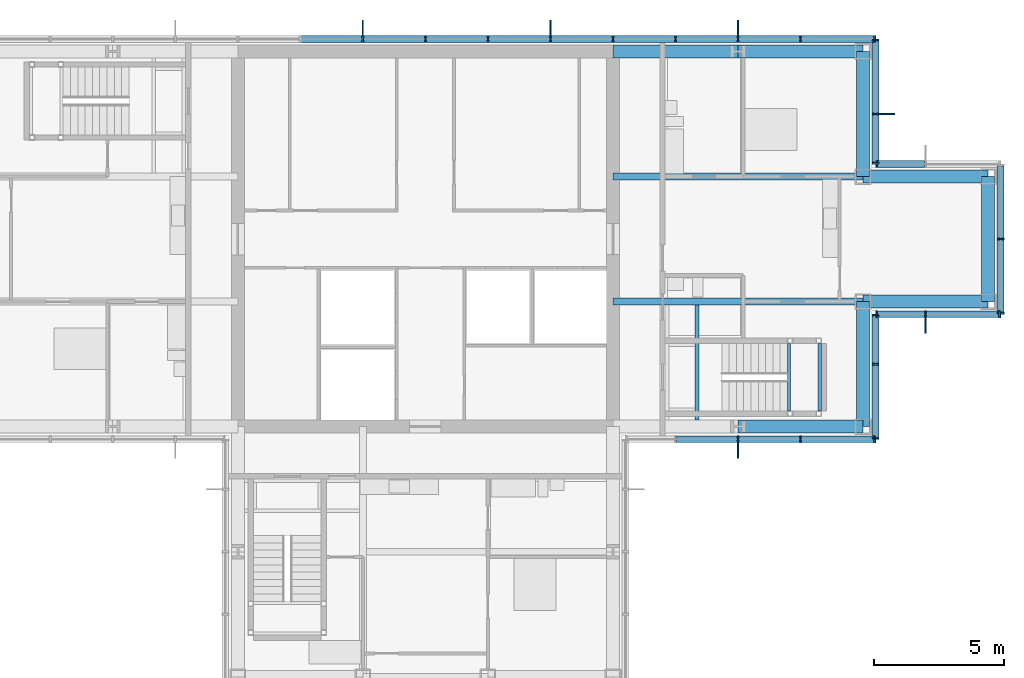
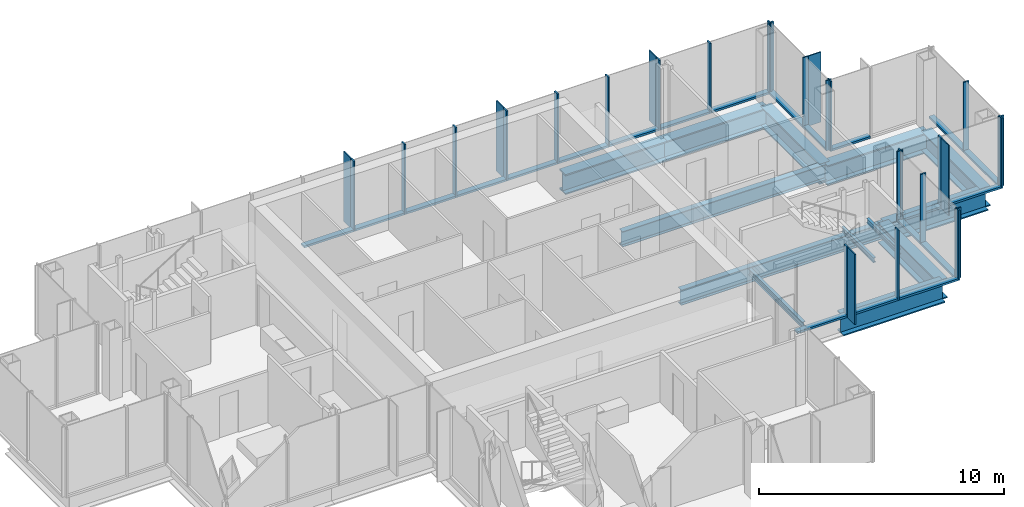
# One storey, part 7 of 15: 51 members, 13 beams, 7 elements without a shape of their own.
"""IFC4 building model written with IfcOpenShell, lengths in metres."""

from ifc_helpers import new_model, si_unit, direction, frame, origin, origin_2d, place, context, subcontext, project, spatial, rectangle, i_section, extrude, material, material_profile, profile_set, type_object, element, aggregate, save


model = new_model("IFC4")

# Units and contexts
model_context = context("Model", 3, precision=1e-05, world=origin(), true_north=direction((0.0, 1.0)))
body_context = subcontext(model_context, "Body", "Model", "MODEL_VIEW")
ifc_project = project(units=[si_unit("LENGTHUNIT", "METRE"), si_unit("AREAUNIT", "SQUARE_METRE"), si_unit("VOLUMEUNIT", "CUBIC_METRE"), si_unit("PLANEANGLEUNIT", "RADIAN"), si_unit("MASSUNIT", "GRAM", prefix="KILO")], contexts=[model_context])

# Site, building, storey
site_placement = place(None, origin())
site = spatial("IfcSite", under=ifc_project, at=site_placement, CompositionType="ELEMENT")
building_placement = place(site_placement, origin())
building = spatial("IfcBuilding", under=site, at=building_placement, Name="Kvirike Care Tower", CompositionType="ELEMENT")
storey_placement = place(building_placement, frame((0.0, 0.0, 201.5)))
storey = spatial("IfcBuildingStorey", under=building, at=storey_placement, Name="L55", CompositionType="ELEMENT", Elevation=201.5)

# Curtain wall, member
ifc_material_1 = material(Name="Anodised aluminium stick system", Category="aluminium")
curtain_wall_type = type_object("IfcCurtainWallType", Name="CW-D STICK CURTAIN WALL", PredefinedType="NOTDEFINED", material=ifc_material_1)
curtain_wall_1_placement = place(storey_placement, origin())
curtain_wall_1 = element("IfcCurtainWall", 1, at=curtain_wall_1_placement, inside=storey, type_object=curtain_wall_type, Name="Curtain wall L55 face 1", PredefinedType="NOTDEFINED")
ifc_material_2 = material(Name="Bronze anodised aluminium fin", Category="aluminium")
ifc_material_profile_1 = material_profile(ifc_material_2, rectangle(XDim=0.050048828125, YDim=0.60009765625, at=origin_2d()), Name="BRONZE FIN 600")
ifc_profile_set_1 = profile_set([ifc_material_profile_1], Name="Bronze anodised aluminium fin")
member_type_1 = type_object("IfcMemberType", Name="BRONZE FIN 600", PredefinedType="USERDEFINED", material=ifc_profile_set_1)
member_1_placement = place(storey_placement, frame((33.60009765625, 27.889892578125, 0.0), z_axis=(0.0, 0.0, 1.0), x_axis=(1.0, 0.0, 0.0)))
member_1 = element("IfcMember", 2, at=member_1_placement, type_object=member_type_1, Name="Bronze fin L55 face 1.3", ObjectType="FIN", PredefinedType="USERDEFINED", context=body_context, shape_type="SweptSolid", body=[
    extrude(rectangle(XDim=0.050048828125, YDim=0.60009765625, at=origin_2d()), origin(), (0.0, 0.0, 1.0), 3.5),
])

curtain_wall_2_placement = place(storey_placement, origin())
curtain_wall_2 = element("IfcCurtainWall", 3, at=curtain_wall_2_placement, inside=storey, type_object=curtain_wall_type, Name="Curtain wall L55 face 3", PredefinedType="NOTDEFINED")
member_2_placement = place(storey_placement, frame((40.800048828125, 32.68994140625, 0.0), z_axis=(0.0, 0.0, 1.0), x_axis=(1.0, 0.0, 0.0)))
member_2 = element("IfcMember", 4, at=member_2_placement, type_object=member_type_1, Name="Bronze fin L55 face 3.2", ObjectType="FIN", PredefinedType="USERDEFINED", context=body_context, shape_type="SweptSolid", body=[
    extrude(rectangle(XDim=0.050048828125, YDim=0.60009765625, at=origin_2d()), origin(), (0.0, 0.0, 1.0), 3.5),
])

curtain_wall_3_placement = place(storey_placement, origin())
curtain_wall_3 = element("IfcCurtainWall", 5, at=curtain_wall_3_placement, inside=storey, type_object=curtain_wall_type, Name="Curtain wall L55 face 6", PredefinedType="NOTDEFINED")
member_3_placement = place(storey_placement, frame((39.31005859375, 40.800048828125, 0.0), z_axis=(0.0, 0.0, 1.0), x_axis=(0.0, 1.0, 0.0)))
member_3 = element("IfcMember", 6, at=member_3_placement, type_object=member_type_1, Name="Bronze fin L55 face 6.2", ObjectType="FIN", PredefinedType="USERDEFINED", context=body_context, shape_type="SweptSolid", body=[
    extrude(rectangle(XDim=0.050048828125, YDim=0.60009765625, at=origin_2d()), origin(), (0.0, 0.0, 1.0), 3.5),
])

# Curtain wall, members
curtain_wall_4_placement = place(storey_placement, origin())
curtain_wall_4 = element("IfcCurtainWall", 7, at=curtain_wall_4_placement, inside=storey, type_object=curtain_wall_type, Name="Curtain wall L55 face 7", PredefinedType="NOTDEFINED")
member_4_placement = place(storey_placement, frame((33.60009765625, 44.110107421875, 0.0), z_axis=(0.0, 0.0, 1.0), x_axis=(-1.0, 0.0, 0.0)))
member_4 = element("IfcMember", 8, at=member_4_placement, type_object=member_type_1, Name="Bronze fin L55 face 7.3", ObjectType="FIN", PredefinedType="USERDEFINED", context=body_context, shape_type="SweptSolid", body=[
    extrude(rectangle(XDim=0.050048828125, YDim=0.60009765625, at=origin_2d()), origin(), (0.0, 0.0, 1.0), 3.5),
])
member_5_placement = place(storey_placement, frame((26.39990234375, 44.110107421875, 0.0), z_axis=(0.0, 0.0, 1.0), x_axis=(-1.0, 0.0, 0.0)))
member_5 = element("IfcMember", 9, at=member_5_placement, type_object=member_type_1, Name="Bronze fin L55 face 7.6", ObjectType="FIN", PredefinedType="USERDEFINED", context=body_context, shape_type="SweptSolid", body=[
    extrude(rectangle(XDim=0.050048828125, YDim=0.60009765625, at=origin_2d()), origin(), (0.0, 0.0, 1.0), 3.5),
])
member_6_placement = place(storey_placement, frame((19.199951171875, 44.110107421875, 0.0), z_axis=(0.0, 0.0, 1.0), x_axis=(-1.0, 0.0, 0.0)))
member_6 = element("IfcMember", 10, at=member_6_placement, type_object=member_type_1, Name="Bronze fin L55 face 7.9", ObjectType="FIN", PredefinedType="USERDEFINED", context=body_context, shape_type="SweptSolid", body=[
    extrude(rectangle(XDim=0.050048828125, YDim=0.60009765625, at=origin_2d()), origin(), (0.0, 0.0, 1.0), 3.5),
])

# Member
ifc_material_3 = material(Name="Bronze anodised aluminium mullion", Category="aluminium")
ifc_material_profile_2 = material_profile(ifc_material_3, rectangle(XDim=0.06494140625, YDim=0.260009765625, at=origin_2d()), Name="CW-D MULLION 65x260")
ifc_profile_set_2 = profile_set([ifc_material_profile_2], Name="Bronze anodised aluminium mullion")
member_type_2 = type_object("IfcMemberType", Name="CW-D MULLION 65x260", PredefinedType="MULLION", material=ifc_profile_set_2)
member_7_placement = place(storey_placement, frame((33.60009765625, 28.320068359375, 0.0), z_axis=(0.0, 0.0, 1.0), x_axis=(1.0, 0.0, 0.0)))
member_7 = element("IfcMember", 11, at=member_7_placement, type_object=member_type_2, Name="CW-D mullion L55 face 1.3", PredefinedType="MULLION", context=body_context, shape_type="SweptSolid", body=[
    extrude(rectangle(XDim=0.06494140625, YDim=0.260009765625, at=origin_2d()), origin(), (0.0, 0.0, 1.0), 3.5),
])

member_8_placement = place(storey_placement, frame((36.0, 28.320068359375, 0.0), z_axis=(0.0, 0.0, 1.0), x_axis=(1.0, 0.0, 0.0)))
member_8 = element("IfcMember", 12, at=member_8_placement, type_object=member_type_2, Name="CW-D mullion L55 face 1.4", PredefinedType="MULLION", context=body_context, shape_type="SweptSolid", body=[
    extrude(rectangle(XDim=0.06494140625, YDim=0.260009765625, at=origin_2d()), origin(), (0.0, 0.0, 1.0), 3.5),
])

member_9_placement = place(storey_placement, frame((38.847412109375, 28.320068359375, 0.0), z_axis=(0.0, 0.0, 1.0), x_axis=(1.0, 0.0, 0.0)))
member_9 = element("IfcMember", 13, at=member_9_placement, type_object=member_type_2, Name="CW-D mullion L55 face 1.5", PredefinedType="MULLION", context=body_context, shape_type="SweptSolid", body=[
    extrude(rectangle(XDim=0.06494140625, YDim=0.260009765625, at=origin_2d()), origin(), (0.0, 0.0, 1.0), 3.5),
])

# Curtain wall, members
curtain_wall_5_placement = place(storey_placement, origin())
curtain_wall_5 = element("IfcCurtainWall", 14, at=curtain_wall_5_placement, inside=storey, type_object=curtain_wall_type, Name="Curtain wall L55 face 2", PredefinedType="NOTDEFINED")
member_10_placement = place(storey_placement, frame((38.8798828125, 28.3525390625, 0.0), z_axis=(0.0, 0.0, 1.0), x_axis=(0.0, 1.0, 0.0)))
member_10 = element("IfcMember", 15, at=member_10_placement, type_object=member_type_2, Name="CW-D mullion L55 face 2.1", PredefinedType="MULLION", context=body_context, shape_type="SweptSolid", body=[
    extrude(rectangle(XDim=0.06494140625, YDim=0.260009765625, at=origin_2d()), origin(), (0.0, 0.0, 1.0), 3.5),
])
member_11_placement = place(storey_placement, frame((38.8798828125, 31.199951171875, 0.0), z_axis=(0.0, 0.0, 1.0), x_axis=(0.0, 1.0, 0.0)))
member_11 = element("IfcMember", 16, at=member_11_placement, type_object=member_type_2, Name="CW-D mullion L55 face 2.2", PredefinedType="MULLION", context=body_context, shape_type="SweptSolid", body=[
    extrude(rectangle(XDim=0.06494140625, YDim=0.260009765625, at=origin_2d()), origin(), (0.0, 0.0, 1.0), 3.5),
])
member_12_placement = place(storey_placement, frame((38.8798828125, 33.08740234375, 0.0), z_axis=(0.0, 0.0, 1.0), x_axis=(0.0, 1.0, 0.0)))
member_12 = element("IfcMember", 17, at=member_12_placement, type_object=member_type_2, Name="CW-D mullion L55 face 2.3", PredefinedType="MULLION", context=body_context, shape_type="SweptSolid", body=[
    extrude(rectangle(XDim=0.06494140625, YDim=0.260009765625, at=origin_2d()), origin(), (0.0, 0.0, 1.0), 3.5),
])

# Member
member_13_placement = place(storey_placement, frame((38.91259765625, 33.1201171875, 0.0), z_axis=(0.0, 0.0, 1.0), x_axis=(1.0, 0.0, 0.0)))
member_13 = element("IfcMember", 18, at=member_13_placement, type_object=member_type_2, Name="CW-D mullion L55 face 3.1", PredefinedType="MULLION", context=body_context, shape_type="SweptSolid", body=[
    extrude(rectangle(XDim=0.06494140625, YDim=0.260009765625, at=origin_2d()), origin(), (0.0, 0.0, 1.0), 3.5),
])

member_14_placement = place(storey_placement, frame((40.800048828125, 33.1201171875, 0.0), z_axis=(0.0, 0.0, 1.0), x_axis=(1.0, 0.0, 0.0)))
member_14 = element("IfcMember", 19, at=member_14_placement, type_object=member_type_2, Name="CW-D mullion L55 face 3.2", PredefinedType="MULLION", context=body_context, shape_type="SweptSolid", body=[
    extrude(rectangle(XDim=0.06494140625, YDim=0.260009765625, at=origin_2d()), origin(), (0.0, 0.0, 1.0), 3.5),
])

member_15_placement = place(storey_placement, frame((43.6474609375, 33.1201171875, 0.0), z_axis=(0.0, 0.0, 1.0), x_axis=(1.0, 0.0, 0.0)))
member_15 = element("IfcMember", 20, at=member_15_placement, type_object=member_type_2, Name="CW-D mullion L55 face 3.3", PredefinedType="MULLION", context=body_context, shape_type="SweptSolid", body=[
    extrude(rectangle(XDim=0.06494140625, YDim=0.260009765625, at=origin_2d()), origin(), (0.0, 0.0, 1.0), 3.5),
])

# Curtain wall, members
curtain_wall_6_placement = place(storey_placement, origin())
curtain_wall_6 = element("IfcCurtainWall", 21, at=curtain_wall_6_placement, inside=storey, type_object=curtain_wall_type, Name="Curtain wall L55 face 4", PredefinedType="NOTDEFINED")
member_16_placement = place(storey_placement, frame((43.679931640625, 33.152587890625, 0.0), z_axis=(0.0, 0.0, 1.0), x_axis=(0.0, 1.0, 0.0)))
member_16 = element("IfcMember", 22, at=member_16_placement, type_object=member_type_2, Name="CW-D mullion L55 face 4.1", PredefinedType="MULLION", context=body_context, shape_type="SweptSolid", body=[
    extrude(rectangle(XDim=0.06494140625, YDim=0.260009765625, at=origin_2d()), origin(), (0.0, 0.0, 1.0), 3.5),
])
member_17_placement = place(storey_placement, frame((43.679931640625, 36.0, 0.0), z_axis=(0.0, 0.0, 1.0), x_axis=(0.0, 1.0, 0.0)))
member_17 = element("IfcMember", 23, at=member_17_placement, type_object=member_type_2, Name="CW-D mullion L55 face 4.2", PredefinedType="MULLION", context=body_context, shape_type="SweptSolid", body=[
    extrude(rectangle(XDim=0.06494140625, YDim=0.260009765625, at=origin_2d()), origin(), (0.0, 0.0, 1.0), 3.5),
])

# Curtain wall, member
curtain_wall_7_placement = place(storey_placement, origin())
curtain_wall_7 = element("IfcCurtainWall", 24, at=curtain_wall_7_placement, inside=storey, type_object=curtain_wall_type, Name="Curtain wall L55 face 5", PredefinedType="NOTDEFINED")
member_18_placement = place(storey_placement, frame((38.91259765625, 38.8798828125, 0.0), z_axis=(0.0, 0.0, 1.0), x_axis=(-1.0, 0.0, 0.0)))
member_18 = element("IfcMember", 25, at=member_18_placement, type_object=member_type_2, Name="CW-D mullion L55 face 5.3", PredefinedType="MULLION", context=body_context, shape_type="SweptSolid", body=[
    extrude(rectangle(XDim=0.06494140625, YDim=0.260009765625, at=origin_2d()), origin(), (0.0, 0.0, 1.0), 3.5),
])

# Member
member_19_placement = place(storey_placement, frame((38.8798828125, 38.91259765625, 0.0), z_axis=(0.0, 0.0, 1.0), x_axis=(0.0, 1.0, 0.0)))
member_19 = element("IfcMember", 26, at=member_19_placement, type_object=member_type_2, Name="CW-D mullion L55 face 6.1", PredefinedType="MULLION", context=body_context, shape_type="SweptSolid", body=[
    extrude(rectangle(XDim=0.06494140625, YDim=0.260009765625, at=origin_2d()), origin(), (0.0, 0.0, 1.0), 3.5),
])

member_20_placement = place(storey_placement, frame((38.8798828125, 40.800048828125, 0.0), z_axis=(0.0, 0.0, 1.0), x_axis=(0.0, 1.0, 0.0)))
member_20 = element("IfcMember", 27, at=member_20_placement, type_object=member_type_2, Name="CW-D mullion L55 face 6.2", PredefinedType="MULLION", context=body_context, shape_type="SweptSolid", body=[
    extrude(rectangle(XDim=0.06494140625, YDim=0.260009765625, at=origin_2d()), origin(), (0.0, 0.0, 1.0), 3.5),
])

member_21_placement = place(storey_placement, frame((38.8798828125, 43.6474609375, 0.0), z_axis=(0.0, 0.0, 1.0), x_axis=(0.0, 1.0, 0.0)))
member_21 = element("IfcMember", 28, at=member_21_placement, type_object=member_type_2, Name="CW-D mullion L55 face 6.3", PredefinedType="MULLION", context=body_context, shape_type="SweptSolid", body=[
    extrude(rectangle(XDim=0.06494140625, YDim=0.260009765625, at=origin_2d()), origin(), (0.0, 0.0, 1.0), 3.5),
])

member_22_placement = place(storey_placement, frame((38.847412109375, 43.679931640625, 0.0), z_axis=(0.0, 0.0, 1.0), x_axis=(-1.0, 0.0, 0.0)))
member_22 = element("IfcMember", 29, at=member_22_placement, type_object=member_type_2, Name="CW-D mullion L55 face 7.1", PredefinedType="MULLION", context=body_context, shape_type="SweptSolid", body=[
    extrude(rectangle(XDim=0.06494140625, YDim=0.260009765625, at=origin_2d()), origin(), (0.0, 0.0, 1.0), 3.5),
])

member_23_placement = place(storey_placement, frame((36.0, 43.679931640625, 0.0), z_axis=(0.0, 0.0, 1.0), x_axis=(-1.0, 0.0, 0.0)))
member_23 = element("IfcMember", 30, at=member_23_placement, type_object=member_type_2, Name="CW-D mullion L55 face 7.2", PredefinedType="MULLION", context=body_context, shape_type="SweptSolid", body=[
    extrude(rectangle(XDim=0.06494140625, YDim=0.260009765625, at=origin_2d()), origin(), (0.0, 0.0, 1.0), 3.5),
])

member_24_placement = place(storey_placement, frame((33.60009765625, 43.679931640625, 0.0), z_axis=(0.0, 0.0, 1.0), x_axis=(-1.0, 0.0, 0.0)))
member_24 = element("IfcMember", 31, at=member_24_placement, type_object=member_type_2, Name="CW-D mullion L55 face 7.3", PredefinedType="MULLION", context=body_context, shape_type="SweptSolid", body=[
    extrude(rectangle(XDim=0.06494140625, YDim=0.260009765625, at=origin_2d()), origin(), (0.0, 0.0, 1.0), 3.5),
])

member_25_placement = place(storey_placement, frame((31.199951171875, 43.679931640625, 0.0), z_axis=(0.0, 0.0, 1.0), x_axis=(-1.0, 0.0, 0.0)))
member_25 = element("IfcMember", 32, at=member_25_placement, type_object=member_type_2, Name="CW-D mullion L55 face 7.4", PredefinedType="MULLION", context=body_context, shape_type="SweptSolid", body=[
    extrude(rectangle(XDim=0.06494140625, YDim=0.260009765625, at=origin_2d()), origin(), (0.0, 0.0, 1.0), 3.5),
])

member_26_placement = place(storey_placement, frame((28.800048828125, 43.679931640625, 0.0), z_axis=(0.0, 0.0, 1.0), x_axis=(-1.0, 0.0, 0.0)))
member_26 = element("IfcMember", 33, at=member_26_placement, type_object=member_type_2, Name="CW-D mullion L55 face 7.5", PredefinedType="MULLION", context=body_context, shape_type="SweptSolid", body=[
    extrude(rectangle(XDim=0.06494140625, YDim=0.260009765625, at=origin_2d()), origin(), (0.0, 0.0, 1.0), 3.5),
])

member_27_placement = place(storey_placement, frame((26.39990234375, 43.679931640625, 0.0), z_axis=(0.0, 0.0, 1.0), x_axis=(-1.0, 0.0, 0.0)))
member_27 = element("IfcMember", 34, at=member_27_placement, type_object=member_type_2, Name="CW-D mullion L55 face 7.6", PredefinedType="MULLION", context=body_context, shape_type="SweptSolid", body=[
    extrude(rectangle(XDim=0.06494140625, YDim=0.260009765625, at=origin_2d()), origin(), (0.0, 0.0, 1.0), 3.5),
])

member_28_placement = place(storey_placement, frame((24.0, 43.679931640625, 0.0), z_axis=(0.0, 0.0, 1.0), x_axis=(-1.0, 0.0, 0.0)))
member_28 = element("IfcMember", 35, at=member_28_placement, type_object=member_type_2, Name="CW-D mullion L55 face 7.7", PredefinedType="MULLION", context=body_context, shape_type="SweptSolid", body=[
    extrude(rectangle(XDim=0.06494140625, YDim=0.260009765625, at=origin_2d()), origin(), (0.0, 0.0, 1.0), 3.5),
])

member_29_placement = place(storey_placement, frame((21.60009765625, 43.679931640625, 0.0), z_axis=(0.0, 0.0, 1.0), x_axis=(-1.0, 0.0, 0.0)))
member_29 = element("IfcMember", 36, at=member_29_placement, type_object=member_type_2, Name="CW-D mullion L55 face 7.8", PredefinedType="MULLION", context=body_context, shape_type="SweptSolid", body=[
    extrude(rectangle(XDim=0.06494140625, YDim=0.260009765625, at=origin_2d()), origin(), (0.0, 0.0, 1.0), 3.5),
])

member_30_placement = place(storey_placement, frame((19.199951171875, 43.679931640625, 0.0), z_axis=(0.0, 0.0, 1.0), x_axis=(-1.0, 0.0, 0.0)))
member_30 = element("IfcMember", 37, at=member_30_placement, type_object=member_type_2, Name="CW-D mullion L55 face 7.9", PredefinedType="MULLION", context=body_context, shape_type="SweptSolid", body=[
    extrude(rectangle(XDim=0.06494140625, YDim=0.260009765625, at=origin_2d()), origin(), (0.0, 0.0, 1.0), 3.5),
])

ifc_material_4 = material(Name="Bronze anodised aluminium transom", Category="aluminium")
ifc_material_profile_3 = material_profile(ifc_material_4, rectangle(XDim=0.260009765625, YDim=0.10009765625, at=origin_2d()), Name="CW-D TRANSOM 260x100")
ifc_profile_set_3 = profile_set([ifc_material_profile_3], Name="Bronze anodised aluminium transom")
member_type_3 = type_object("IfcMemberType", Name="CW-D TRANSOM 260x100", PredefinedType="USERDEFINED", material=ifc_profile_set_3)
member_31_placement = place(storey_placement, frame((31.232421875, 28.320068359375, 0.050048828125), z_axis=(1.0, 0.0, 0.0), x_axis=(0.0, 1.0, 0.0)))
member_31 = element("IfcMember", 38, at=member_31_placement, type_object=member_type_3, Name="CW-D sill transom L55 face 1.2", ObjectType="TRANSOM", PredefinedType="USERDEFINED", context=body_context, shape_type="SweptSolid", body=[
    extrude(rectangle(XDim=0.260009765625, YDim=0.10009765625, at=origin_2d()), origin(), (0.0, 0.0, 1.0), 2.3349609375),
])

member_32_placement = place(storey_placement, frame((33.632568359375, 28.320068359375, 0.050048828125), z_axis=(1.0, 0.0, 0.0), x_axis=(0.0, 1.0, 0.0)))
member_32 = element("IfcMember", 39, at=member_32_placement, type_object=member_type_3, Name="CW-D sill transom L55 face 1.3", ObjectType="TRANSOM", PredefinedType="USERDEFINED", context=body_context, shape_type="SweptSolid", body=[
    extrude(rectangle(XDim=0.260009765625, YDim=0.10009765625, at=origin_2d()), origin(), (0.0, 0.0, 1.0), 2.3349609375),
])

member_33_placement = place(storey_placement, frame((36.032470703125, 28.320068359375, 0.050048828125), z_axis=(1.0, 0.0, 0.0), x_axis=(0.0, 1.0, 0.0)))
member_33 = element("IfcMember", 40, at=member_33_placement, type_object=member_type_3, Name="CW-D sill transom L55 face 1.4", ObjectType="TRANSOM", PredefinedType="USERDEFINED", context=body_context, shape_type="SweptSolid", body=[
    extrude(rectangle(XDim=0.260009765625, YDim=0.10009765625, at=origin_2d()), origin(), (0.0, 0.0, 1.0), 2.782470703125),
])

aggregate(curtain_wall_1, [member_7, member_1, member_8, member_9, member_31, member_32, member_33])

member_34_placement = place(storey_placement, frame((38.8798828125, 28.385009765625, 0.050048828125), z_axis=(0.0, 1.0, 0.0), x_axis=(-1.0, 0.0, 0.0)))
member_34 = element("IfcMember", 41, at=member_34_placement, type_object=member_type_3, Name="CW-D sill transom L55 face 2.1", ObjectType="TRANSOM", PredefinedType="USERDEFINED", context=body_context, shape_type="SweptSolid", body=[
    extrude(rectangle(XDim=0.260009765625, YDim=0.10009765625, at=origin_2d()), origin(), (0.0, 0.0, 1.0), 2.782470703125),
])

member_35_placement = place(storey_placement, frame((38.8798828125, 31.232421875, 0.050048828125), z_axis=(0.0, 1.0, 0.0), x_axis=(-1.0, 0.0, 0.0)))
member_35 = element("IfcMember", 42, at=member_35_placement, type_object=member_type_3, Name="CW-D sill transom L55 face 2.2", ObjectType="TRANSOM", PredefinedType="USERDEFINED", context=body_context, shape_type="SweptSolid", body=[
    extrude(rectangle(XDim=0.260009765625, YDim=0.10009765625, at=origin_2d()), origin(), (0.0, 0.0, 1.0), 1.822509765625),
])

aggregate(curtain_wall_5, [member_10, member_11, member_12, member_34, member_35])

member_36_placement = place(storey_placement, frame((38.945068359375, 33.1201171875, 0.050048828125), z_axis=(1.0, 0.0, 0.0), x_axis=(0.0, 1.0, 0.0)))
member_36 = element("IfcMember", 43, at=member_36_placement, type_object=member_type_3, Name="CW-D sill transom L55 face 3.1", ObjectType="TRANSOM", PredefinedType="USERDEFINED", context=body_context, shape_type="SweptSolid", body=[
    extrude(rectangle(XDim=0.260009765625, YDim=0.10009765625, at=origin_2d()), origin(), (0.0, 0.0, 1.0), 1.822509765625),
])

member_37_placement = place(storey_placement, frame((40.83251953125, 33.1201171875, 0.050048828125), z_axis=(1.0, 0.0, 0.0), x_axis=(0.0, 1.0, 0.0)))
member_37 = element("IfcMember", 44, at=member_37_placement, type_object=member_type_3, Name="CW-D sill transom L55 face 3.2", ObjectType="TRANSOM", PredefinedType="USERDEFINED", context=body_context, shape_type="SweptSolid", body=[
    extrude(rectangle(XDim=0.260009765625, YDim=0.10009765625, at=origin_2d()), origin(), (0.0, 0.0, 1.0), 2.782470703125),
])

aggregate(curtain_wall_2, [member_13, member_14, member_2, member_15, member_36, member_37])

member_38_placement = place(storey_placement, frame((43.679931640625, 33.18505859375, 0.050048828125), z_axis=(0.0, 1.0, 0.0), x_axis=(-1.0, 0.0, 0.0)))
member_38 = element("IfcMember", 45, at=member_38_placement, type_object=member_type_3, Name="CW-D sill transom L55 face 4.1", ObjectType="TRANSOM", PredefinedType="USERDEFINED", context=body_context, shape_type="SweptSolid", body=[
    extrude(rectangle(XDim=0.260009765625, YDim=0.10009765625, at=origin_2d()), origin(), (0.0, 0.0, 1.0), 2.782470703125),
])

member_39_placement = place(storey_placement, frame((43.679931640625, 36.032470703125, 0.050048828125), z_axis=(0.0, 1.0, 0.0), x_axis=(-1.0, 0.0, 0.0)))
member_39 = element("IfcMember", 46, at=member_39_placement, type_object=member_type_3, Name="CW-D sill transom L55 face 4.2", ObjectType="TRANSOM", PredefinedType="USERDEFINED", context=body_context, shape_type="SweptSolid", body=[
    extrude(rectangle(XDim=0.260009765625, YDim=0.10009765625, at=origin_2d()), origin(), (0.0, 0.0, 1.0), 2.782470703125),
])

aggregate(curtain_wall_6, [member_16, member_17, member_38, member_39])

member_40_placement = place(storey_placement, frame((40.767578125, 38.8798828125, 0.050048828125), z_axis=(-1.0, 0.0, 0.0), x_axis=(0.0, -1.0, 0.0)))
member_40 = element("IfcMember", 47, at=member_40_placement, type_object=member_type_3, Name="CW-D sill transom L55 face 5.2", ObjectType="TRANSOM", PredefinedType="USERDEFINED", context=body_context, shape_type="SweptSolid", body=[
    extrude(rectangle(XDim=0.260009765625, YDim=0.10009765625, at=origin_2d()), origin(), (0.0, 0.0, 1.0), 1.822509765625),
])

aggregate(curtain_wall_7, [member_18, member_40])

member_41_placement = place(storey_placement, frame((38.8798828125, 38.945068359375, 0.050048828125), z_axis=(0.0, 1.0, 0.0), x_axis=(-1.0, 0.0, 0.0)))
member_41 = element("IfcMember", 48, at=member_41_placement, type_object=member_type_3, Name="CW-D sill transom L55 face 6.1", ObjectType="TRANSOM", PredefinedType="USERDEFINED", context=body_context, shape_type="SweptSolid", body=[
    extrude(rectangle(XDim=0.260009765625, YDim=0.10009765625, at=origin_2d()), origin(), (0.0, 0.0, 1.0), 1.822509765625),
])

member_42_placement = place(storey_placement, frame((38.8798828125, 40.83251953125, 0.050048828125), z_axis=(0.0, 1.0, 0.0), x_axis=(-1.0, 0.0, 0.0)))
member_42 = element("IfcMember", 49, at=member_42_placement, type_object=member_type_3, Name="CW-D sill transom L55 face 6.2", ObjectType="TRANSOM", PredefinedType="USERDEFINED", context=body_context, shape_type="SweptSolid", body=[
    extrude(rectangle(XDim=0.260009765625, YDim=0.10009765625, at=origin_2d()), origin(), (0.0, 0.0, 1.0), 2.782470703125),
])

aggregate(curtain_wall_3, [member_19, member_20, member_3, member_21, member_41, member_42])

member_43_placement = place(storey_placement, frame((38.81494140625, 43.679931640625, 0.050048828125), z_axis=(-1.0, 0.0, 0.0), x_axis=(0.0, -1.0, 0.0)))
member_43 = element("IfcMember", 50, at=member_43_placement, type_object=member_type_3, Name="CW-D sill transom L55 face 7.1", ObjectType="TRANSOM", PredefinedType="USERDEFINED", context=body_context, shape_type="SweptSolid", body=[
    extrude(rectangle(XDim=0.260009765625, YDim=0.10009765625, at=origin_2d()), origin(), (0.0, 0.0, 1.0), 2.782470703125),
])

member_44_placement = place(storey_placement, frame((35.967529296875, 43.679931640625, 0.050048828125), z_axis=(-1.0, 0.0, 0.0), x_axis=(0.0, -1.0, 0.0)))
member_44 = element("IfcMember", 51, at=member_44_placement, type_object=member_type_3, Name="CW-D sill transom L55 face 7.2", ObjectType="TRANSOM", PredefinedType="USERDEFINED", context=body_context, shape_type="SweptSolid", body=[
    extrude(rectangle(XDim=0.260009765625, YDim=0.10009765625, at=origin_2d()), origin(), (0.0, 0.0, 1.0), 2.3349609375),
])

member_45_placement = place(storey_placement, frame((33.5673828125, 43.679931640625, 0.050048828125), z_axis=(-1.0, 0.0, 0.0), x_axis=(0.0, -1.0, 0.0)))
member_45 = element("IfcMember", 52, at=member_45_placement, type_object=member_type_3, Name="CW-D sill transom L55 face 7.3", ObjectType="TRANSOM", PredefinedType="USERDEFINED", context=body_context, shape_type="SweptSolid", body=[
    extrude(rectangle(XDim=0.260009765625, YDim=0.10009765625, at=origin_2d()), origin(), (0.0, 0.0, 1.0), 2.3349609375),
])

member_46_placement = place(storey_placement, frame((31.16748046875, 43.679931640625, 0.050048828125), z_axis=(-1.0, 0.0, 0.0), x_axis=(0.0, -1.0, 0.0)))
member_46 = element("IfcMember", 53, at=member_46_placement, type_object=member_type_3, Name="CW-D sill transom L55 face 7.4", ObjectType="TRANSOM", PredefinedType="USERDEFINED", context=body_context, shape_type="SweptSolid", body=[
    extrude(rectangle(XDim=0.260009765625, YDim=0.10009765625, at=origin_2d()), origin(), (0.0, 0.0, 1.0), 2.3349609375),
])

member_47_placement = place(storey_placement, frame((28.767578125, 43.679931640625, 0.050048828125), z_axis=(-1.0, 0.0, 0.0), x_axis=(0.0, -1.0, 0.0)))
member_47 = element("IfcMember", 54, at=member_47_placement, type_object=member_type_3, Name="CW-D sill transom L55 face 7.5", ObjectType="TRANSOM", PredefinedType="USERDEFINED", context=body_context, shape_type="SweptSolid", body=[
    extrude(rectangle(XDim=0.260009765625, YDim=0.10009765625, at=origin_2d()), origin(), (0.0, 0.0, 1.0), 2.3349609375),
])

member_48_placement = place(storey_placement, frame((26.367431640625, 43.679931640625, 0.050048828125), z_axis=(-1.0, 0.0, 0.0), x_axis=(0.0, -1.0, 0.0)))
member_48 = element("IfcMember", 55, at=member_48_placement, type_object=member_type_3, Name="CW-D sill transom L55 face 7.6", ObjectType="TRANSOM", PredefinedType="USERDEFINED", context=body_context, shape_type="SweptSolid", body=[
    extrude(rectangle(XDim=0.260009765625, YDim=0.10009765625, at=origin_2d()), origin(), (0.0, 0.0, 1.0), 2.3349609375),
])

member_49_placement = place(storey_placement, frame((23.967529296875, 43.679931640625, 0.050048828125), z_axis=(-1.0, 0.0, 0.0), x_axis=(0.0, -1.0, 0.0)))
member_49 = element("IfcMember", 56, at=member_49_placement, type_object=member_type_3, Name="CW-D sill transom L55 face 7.7", ObjectType="TRANSOM", PredefinedType="USERDEFINED", context=body_context, shape_type="SweptSolid", body=[
    extrude(rectangle(XDim=0.260009765625, YDim=0.10009765625, at=origin_2d()), origin(), (0.0, 0.0, 1.0), 2.3349609375),
])

member_50_placement = place(storey_placement, frame((21.5673828125, 43.679931640625, 0.050048828125), z_axis=(-1.0, 0.0, 0.0), x_axis=(0.0, -1.0, 0.0)))
member_50 = element("IfcMember", 57, at=member_50_placement, type_object=member_type_3, Name="CW-D sill transom L55 face 7.8", ObjectType="TRANSOM", PredefinedType="USERDEFINED", context=body_context, shape_type="SweptSolid", body=[
    extrude(rectangle(XDim=0.260009765625, YDim=0.10009765625, at=origin_2d()), origin(), (0.0, 0.0, 1.0), 2.3349609375),
])

member_51_placement = place(storey_placement, frame((19.16748046875, 43.679931640625, 0.050048828125), z_axis=(-1.0, 0.0, 0.0), x_axis=(0.0, -1.0, 0.0)))
member_51 = element("IfcMember", 58, at=member_51_placement, type_object=member_type_3, Name="CW-D sill transom L55 face 7.9", ObjectType="TRANSOM", PredefinedType="USERDEFINED", context=body_context, shape_type="SweptSolid", body=[
    extrude(rectangle(XDim=0.260009765625, YDim=0.10009765625, at=origin_2d()), origin(), (0.0, 0.0, 1.0), 2.3349609375),
])

aggregate(curtain_wall_4, [member_22, member_23, member_24, member_4, member_25, member_26, member_27, member_5, member_28, member_29, member_30, member_6, member_43, member_44, member_45, member_46, member_47, member_48, member_49, member_50, member_51])

# Beams
ifc_material_5 = material(Name="Steel S355", Category="steel")
ifc_material_profile_4 = material_profile(ifc_material_5, i_section(OverallWidth=0.26806640625, OverallDepth=0.77001953125, WebThickness=0.015625, FlangeThickness=0.025390625, FilletRadius=0.01708984375, at=origin_2d()), Name="IPE 750x196")
ifc_profile_set_4 = profile_set([ifc_material_profile_4], Name="Steel S355")
beam_type_1 = type_object("IfcBeamType", Name="FLOOR BEAM IPE 750x196", PredefinedType="BEAM", material=ifc_profile_set_4)
for number, where, z_axis, x_axis, name in (
    (59, (28.800048828125, 33.60009765625, -0.554931640625), (1.0, 0.0, 0.0), (0.0, 1.0, 0.0), "Floor Beam H9-H11 L55"),
    (60, (28.800048828125, 38.39990234375, -0.554931640625), (1.0, 0.0, 0.0), (0.0, 1.0, 0.0), "Floor Beam J9-J11 L55"),
):
    element("IfcBeam", number, at=place(storey_placement, frame(where, z_axis=z_axis, x_axis=x_axis)), inside=storey, type_object=beam_type_1, Name=name, PredefinedType="BEAM", context=body_context, shape_type="SweptSolid", body=[
        extrude(i_section(OverallWidth=0.26806640625, OverallDepth=0.77001953125, WebThickness=0.015625, FlangeThickness=0.025390625, FilletRadius=0.01708984375, at=origin_2d()), origin(), (0.0, 0.0, 1.0), 9.599853515625),
    ])
ifc_material_6 = material(Name="Steel S355", Category="steel")
ifc_material_profile_5 = material_profile(ifc_material_6, i_section(OverallWidth=0.5, OverallDepth=1.0, WebThickness=0.030029296875, FlangeThickness=0.06005859375, at=origin_2d()), Name="PG 1000x500x30x60")
ifc_profile_set_5 = profile_set([ifc_material_profile_5], Name="Steel S355")
beam_type_2 = type_object("IfcBeamType", Name="SPANDREL PG 1000x500x30x60", PredefinedType="SPANDREL", material=ifc_profile_set_5)
beam_1_placement = place(storey_placement, frame((33.60009765625, 28.800048828125, -0.669921875), z_axis=(1.0, 0.0, 0.0), x_axis=(0.0, 1.0, 0.0)))
element("IfcBeam", 61, at=beam_1_placement, inside=storey, type_object=beam_type_2, Name="Spandrel G10-G11 L55", PredefinedType="SPANDREL", context=body_context, shape_type="SweptSolid", body=[
    extrude(i_section(OverallWidth=0.5, OverallDepth=1.0, WebThickness=0.030029296875, FlangeThickness=0.06005859375, at=origin_2d()), origin(), (0.0, 0.0, 1.0), 4.7998046875),
])
for number, where, z_axis, x_axis, name in (
    (62, (38.39990234375, 33.60009765625, -0.669921875), (1.0, 0.0, 0.0), (0.0, 1.0, 0.0), "Spandrel H11-H12 L55"),
    (63, (38.39990234375, 38.39990234375, -0.669921875), (1.0, 0.0, 0.0), (0.0, 1.0, 0.0), "Spandrel J11-J12 L55"),
    (64, (28.800048828125, 43.199951171875, -0.669921875), (1.0, 0.0, 0.0), (0.0, 1.0, 0.0), "Spandrel K9-K10 L55"),
):
    element("IfcBeam", number, at=place(storey_placement, frame(where, z_axis=z_axis, x_axis=x_axis)), inside=storey, type_object=beam_type_2, Name=name, PredefinedType="SPANDREL", context=body_context, shape_type="SweptSolid", body=[
        extrude(i_section(OverallWidth=0.5, OverallDepth=1.0, WebThickness=0.030029296875, FlangeThickness=0.06005859375, at=origin_2d()), origin(), (0.0, 0.0, 1.0), 4.800048828125),
    ])
beam_2_placement = place(storey_placement, frame((33.60009765625, 43.199951171875, -0.669921875), z_axis=(1.0, 0.0, 0.0), x_axis=(0.0, 1.0, 0.0)))
element("IfcBeam", 65, at=beam_2_placement, inside=storey, type_object=beam_type_2, Name="Spandrel K10-K11 L55", PredefinedType="SPANDREL", context=body_context, shape_type="SweptSolid", body=[
    extrude(i_section(OverallWidth=0.5, OverallDepth=1.0, WebThickness=0.030029296875, FlangeThickness=0.06005859375, at=origin_2d()), origin(), (0.0, 0.0, 1.0), 4.7998046875),
])
for number, where, z_axis, x_axis, name in (
    (66, (38.39990234375, 28.800048828125, -0.669921875), (0.0, 1.0, 0.0), (-1.0, 0.0, 0.0), "Spandrel G11-H11 L55"),
    (67, (38.39990234375, 38.39990234375, -0.669921875), (0.0, 1.0, 0.0), (-1.0, 0.0, 0.0), "Spandrel J11-K11 L55"),
):
    element("IfcBeam", number, at=place(storey_placement, frame(where, z_axis=z_axis, x_axis=x_axis)), inside=storey, type_object=beam_type_2, Name=name, PredefinedType="SPANDREL", context=body_context, shape_type="SweptSolid", body=[
        extrude(i_section(OverallWidth=0.5, OverallDepth=1.0, WebThickness=0.030029296875, FlangeThickness=0.06005859375, at=origin_2d()), origin(), (0.0, 0.0, 1.0), 4.800048828125),
    ])
beam_3_placement = place(storey_placement, frame((43.199951171875, 33.60009765625, -0.669921875), z_axis=(0.0, 1.0, 0.0), x_axis=(-1.0, 0.0, 0.0)))
element("IfcBeam", 68, at=beam_3_placement, inside=storey, type_object=beam_type_2, Name="Spandrel H12-J12 L55", PredefinedType="SPANDREL", context=body_context, shape_type="SweptSolid", body=[
    extrude(i_section(OverallWidth=0.5, OverallDepth=1.0, WebThickness=0.030029296875, FlangeThickness=0.06005859375, at=origin_2d()), origin(), (0.0, 0.0, 1.0), 4.7998046875),
])
ifc_material_7 = material(Name="Steel S355", Category="steel")
ifc_material_profile_6 = material_profile(ifc_material_7, i_section(OverallWidth=0.1201171875, OverallDepth=0.239990234375, WebThickness=0.006103515625, FlangeThickness=0.009765625, FilletRadius=0.014892578125, at=origin_2d()), Name="IPE 240")
ifc_profile_set_6 = profile_set([ifc_material_profile_6], Name="Steel S355")
beam_type_3 = type_object("IfcBeamType", Name="STAIR LANDING BEAM IPE 240", PredefinedType="BEAM", material=ifc_profile_set_6)
for number, where, z_axis, x_axis, name in (
    (69, (36.739990234375, 29.39990234375, 1.429931640625), (0.0, 1.0, 0.0), (-1.0, 0.0, 0.0), "Stair 2 landing beam back L55"),
    (70, (35.56005859375, 29.39990234375, 1.429931640625), (0.0, 1.0, 0.0), (-1.0, 0.0, 0.0), "Stair 2 landing beam front L55"),
):
    element("IfcBeam", number, at=place(storey_placement, frame(where, z_axis=z_axis, x_axis=x_axis)), inside=storey, type_object=beam_type_3, Name=name, PredefinedType="BEAM", context=body_context, shape_type="SweptSolid", body=[
        extrude(i_section(OverallWidth=0.1201171875, OverallDepth=0.239990234375, WebThickness=0.006103515625, FlangeThickness=0.009765625, FilletRadius=0.014892578125, at=origin_2d()), origin(), (0.0, 0.0, 1.0), 2.60009765625),
    ])
ifc_material_8 = material(Name="Steel S355", Category="steel")
ifc_material_profile_7 = material_profile(ifc_material_8, i_section(OverallWidth=0.14990234375, OverallDepth=0.300048828125, WebThickness=0.007080078125, FlangeThickness=0.0107421875, FilletRadius=0.014892578125, at=origin_2d()), Name="IPE 300")
ifc_profile_set_7 = profile_set([ifc_material_profile_7], Name="Steel S355")
beam_type_4 = type_object("IfcBeamType", Name="STAIR TRIMMER IPE 300", PredefinedType="BEAM", material=ifc_profile_set_7)
beam_4_placement = place(storey_placement, frame((32.02490234375, 29.050048828125, -0.35009765625), z_axis=(0.0, 1.0, 0.0), x_axis=(-1.0, 0.0, 0.0)))
element("IfcBeam", 71, at=beam_4_placement, inside=storey, type_object=beam_type_4, Name="Stair 2 trimmer 1 L55", PredefinedType="BEAM", context=body_context, shape_type="SweptSolid", body=[
    extrude(i_section(OverallWidth=0.14990234375, OverallDepth=0.300048828125, WebThickness=0.007080078125, FlangeThickness=0.0107421875, FilletRadius=0.014892578125, at=origin_2d()), origin(), (0.0, 0.0, 1.0), 4.416015625),
])

save(model, "model.ifc")
